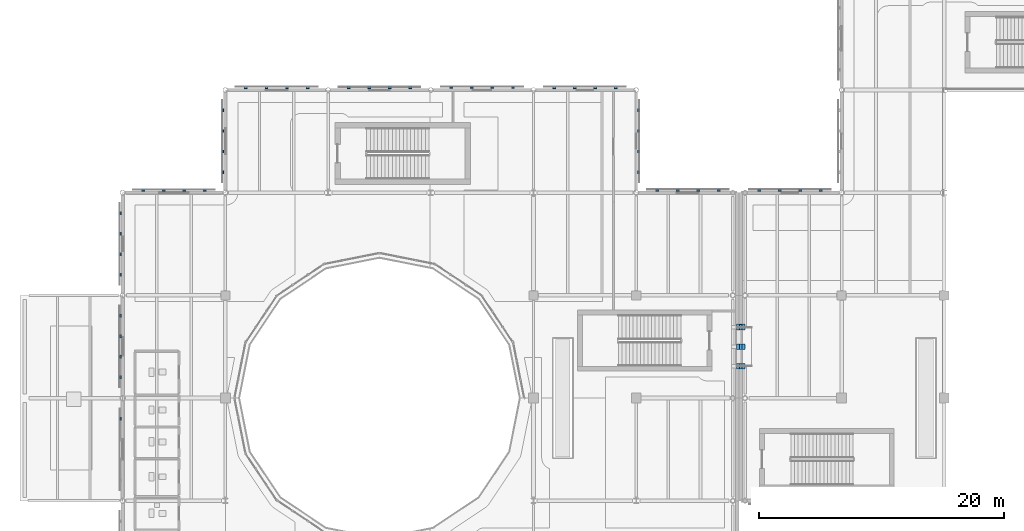
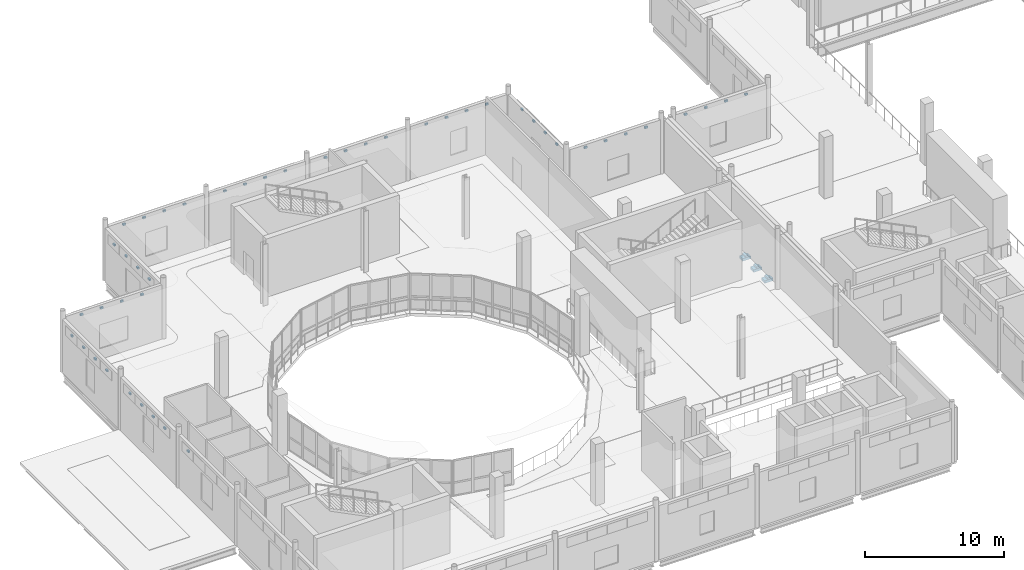
# One storey, part 78 of 110: 51 discrete accessories.
"""IFC4 building model written with IfcOpenShell, lengths in metres."""

from ifc_helpers import new_model, si_unit, direction, frame, origin, origin_2d, place, context, subcontext, project, spatial, rectangle, extrude, material, type_object, element, save


model = new_model("IFC4")

# Units and contexts
model_context = context("Model", 3, precision=1e-05, world=origin(), true_north=direction((0.0, 1.0)))
body_context = subcontext(model_context, "Body", "Model", "MODEL_VIEW")
ifc_project = project(units=[si_unit("LENGTHUNIT", "METRE"), si_unit("AREAUNIT", "SQUARE_METRE"), si_unit("VOLUMEUNIT", "CUBIC_METRE"), si_unit("PLANEANGLEUNIT", "RADIAN"), si_unit("MASSUNIT", "GRAM", prefix="KILO"), si_unit("THERMODYNAMICTEMPERATUREUNIT", "KELVIN")], contexts=[model_context])

# Site, building, storey
site_placement = place(None, origin())
site = spatial("IfcSite", under=ifc_project, at=site_placement, CompositionType="ELEMENT")
building_placement = place(site_placement, origin())
building = spatial("IfcBuilding", under=site, at=building_placement, Name="Lustrewick Department Store", CompositionType="ELEMENT")
storey_placement = place(building_placement, frame((0.0, 0.0, 6.0)))
storey = spatial("IfcBuildingStorey", under=building, at=storey_placement, Name="L02", CompositionType="ELEMENT", Elevation=6.0)

# Discrete accessories
ifc_material_1 = material(Name="Anodized filigree aluminium 6061-T6", Category="aluminium")
discrete_accessory_type_1 = type_object("IfcDiscreteAccessoryType", Name="BRK-FIL", PredefinedType="BRACKET", material=ifc_material_1)
for number, where, z_axis, x_axis, name in (
    (1, (57.14404296875, 84.199951171875, 4.20703125), (0.0, 0.0, 1.0), (-1.0, 0.0, 0.0), "L02 Filigree Stand-Off Bracket 0001"),
    (2, (55.464111328125, 84.199951171875, 4.20703125), (0.0, 0.0, 1.0), (-1.0, 0.0, 0.0), "L02 Filigree Stand-Off Bracket 0002"),
    (3, (53.783935546875, 84.199951171875, 4.20703125), (0.0, 0.0, 1.0), (-1.0, 0.0, 0.0), "L02 Filigree Stand-Off Bracket 0003"),
    (4, (52.10400390625, 84.199951171875, 4.20703125), (0.0, 0.0, 1.0), (-1.0, 0.0, 0.0), "L02 Filigree Stand-Off Bracket 0004"),
    (5, (50.580078125, 85.687255859375, 4.1171875), (0.0, 0.0, 1.0), (0.0, 1.0, 0.0), "L02 Filigree Stand-Off Bracket 0005"),
    (6, (50.580078125, 87.3671875, 4.1171875), (0.0, 0.0, 1.0), (0.0, 1.0, 0.0), "L02 Filigree Stand-Off Bracket 0006"),
    (7, (50.580078125, 89.047119140625, 4.1171875), (0.0, 0.0, 1.0), (0.0, 1.0, 0.0), "L02 Filigree Stand-Off Bracket 0007"),
    (8, (50.580078125, 90.727294921875, 4.1171875), (0.0, 0.0, 1.0), (0.0, 1.0, 0.0), "L02 Filigree Stand-Off Bracket 0008"),
    (9, (48.719970703125, 92.590087890625, 4.1171875), (0.0, 0.0, 1.0), (-1.0, 0.0, 0.0), "L02 Filigree Stand-Off Bracket 0009"),
    (10, (47.0400390625, 92.590087890625, 4.1171875), (0.0, 0.0, 1.0), (-1.0, 0.0, 0.0), "L02 Filigree Stand-Off Bracket 0010"),
    (11, (45.360107421875, 92.590087890625, 4.1171875), (0.0, 0.0, 1.0), (-1.0, 0.0, 0.0), "L02 Filigree Stand-Off Bracket 0011"),
    (12, (43.679931640625, 92.590087890625, 4.1171875), (0.0, 0.0, 1.0), (-1.0, 0.0, 0.0), "L02 Filigree Stand-Off Bracket 0012"),
    (13, (40.320068359375, 92.60009765625, 4.1171875), (0.0, 0.0, 1.0), (-1.0, 0.0, 0.0), "L02 Filigree Stand-Off Bracket 0013"),
    (14, (38.639892578125, 92.60009765625, 4.1171875), (0.0, 0.0, 1.0), (-1.0, 0.0, 0.0), "L02 Filigree Stand-Off Bracket 0014"),
    (15, (36.9599609375, 92.60009765625, 4.1171875), (0.0, 0.0, 1.0), (-1.0, 0.0, 0.0), "L02 Filigree Stand-Off Bracket 0015"),
    (16, (35.280029296875, 92.60009765625, 4.1171875), (0.0, 0.0, 1.0), (-1.0, 0.0, 0.0), "L02 Filigree Stand-Off Bracket 0016"),
    (17, (31.919921875, 92.580078125, 4.1171875), (0.0, 0.0, 1.0), (-1.0, 0.0, 0.0), "L02 Filigree Stand-Off Bracket 0017"),
    (18, (30.239990234375, 92.580078125, 4.1171875), (0.0, 0.0, 1.0), (-1.0, 0.0, 0.0), "L02 Filigree Stand-Off Bracket 0018"),
    (19, (28.56005859375, 92.580078125, 4.1171875), (0.0, 0.0, 1.0), (-1.0, 0.0, 0.0), "L02 Filigree Stand-Off Bracket 0019"),
    (20, (26.8798828125, 92.580078125, 4.1171875), (0.0, 0.0, 1.0), (-1.0, 0.0, 0.0), "L02 Filigree Stand-Off Bracket 0020"),
    (21, (23.52001953125, 92.590087890625, 4.1171875), (0.0, 0.0, 1.0), (-1.0, 0.0, 0.0), "L02 Filigree Stand-Off Bracket 0021"),
    (22, (21.840087890625, 92.590087890625, 4.1171875), (0.0, 0.0, 1.0), (-1.0, 0.0, 0.0), "L02 Filigree Stand-Off Bracket 0022"),
    (23, (20.159912109375, 92.590087890625, 4.1171875), (0.0, 0.0, 1.0), (-1.0, 0.0, 0.0), "L02 Filigree Stand-Off Bracket 0023"),
    (24, (18.47998046875, 92.590087890625, 4.1171875), (0.0, 0.0, 1.0), (-1.0, 0.0, 0.0), "L02 Filigree Stand-Off Bracket 0024"),
    (25, (16.60009765625, 90.727294921875, 4.1171875), (0.0, 0.0, 1.0), (0.0, -1.0, 0.0), "L02 Filigree Stand-Off Bracket 0025"),
    (26, (16.60009765625, 89.047119140625, 4.1171875), (0.0, 0.0, 1.0), (0.0, -1.0, 0.0), "L02 Filigree Stand-Off Bracket 0026"),
    (27, (16.60009765625, 87.3671875, 4.1171875), (0.0, 0.0, 1.0), (0.0, -1.0, 0.0), "L02 Filigree Stand-Off Bracket 0027"),
    (28, (16.60009765625, 85.687255859375, 4.1171875), (0.0, 0.0, 1.0), (0.0, -1.0, 0.0), "L02 Filigree Stand-Off Bracket 0028"),
    (29, (15.1201171875, 84.179931640625, 4.20703125), (0.0, 0.0, 1.0), (-1.0, 0.0, 0.0), "L02 Filigree Stand-Off Bracket 0029"),
    (30, (13.43994140625, 84.179931640625, 4.20703125), (0.0, 0.0, 1.0), (-1.0, 0.0, 0.0), "L02 Filigree Stand-Off Bracket 0030"),
    (31, (11.760009765625, 84.179931640625, 4.20703125), (0.0, 0.0, 1.0), (-1.0, 0.0, 0.0), "L02 Filigree Stand-Off Bracket 0031"),
    (32, (10.080078125, 84.179931640625, 4.20703125), (0.0, 0.0, 1.0), (-1.0, 0.0, 0.0), "L02 Filigree Stand-Off Bracket 0032"),
    (33, (8.2099609375, 82.312744140625, 4.1171875), (0.0, 0.0, 1.0), (0.0, -1.0, 0.0), "L02 Filigree Stand-Off Bracket 0033"),
    (34, (8.2099609375, 80.6328125, 4.1171875), (0.0, 0.0, 1.0), (0.0, -1.0, 0.0), "L02 Filigree Stand-Off Bracket 0034"),
    (35, (8.2099609375, 78.952880859375, 4.1171875), (0.0, 0.0, 1.0), (0.0, -1.0, 0.0), "L02 Filigree Stand-Off Bracket 0035"),
    (36, (8.2099609375, 77.272705078125, 4.1171875), (0.0, 0.0, 1.0), (0.0, -1.0, 0.0), "L02 Filigree Stand-Off Bracket 0036"),
    (37, (8.199951171875, 73.92724609375, 4.1171875), (0.0, 0.0, 1.0), (0.0, -1.0, 0.0), "L02 Filigree Stand-Off Bracket 0037"),
    (38, (8.199951171875, 72.247314453125, 4.1171875), (0.0, 0.0, 1.0), (0.0, -1.0, 0.0), "L02 Filigree Stand-Off Bracket 0038"),
    (39, (8.199951171875, 70.5673828125, 4.1171875), (0.0, 0.0, 1.0), (0.0, -1.0, 0.0), "L02 Filigree Stand-Off Bracket 0039"),
    (40, (8.199951171875, 68.88720703125, 4.1171875), (0.0, 0.0, 1.0), (0.0, -1.0, 0.0), "L02 Filigree Stand-Off Bracket 0040"),
    (41, (8.219970703125, 65.52001953125, 4.1171875), (0.0, 0.0, 1.0), (0.0, -1.0, 0.0), "L02 Filigree Stand-Off Bracket 0041"),
    (42, (65.49609375, 84.199951171875, 4.20703125), (0.0, 0.0, 1.0), (-1.0, 0.0, 0.0), "L02 Filigree Stand-Off Bracket 0146"),
    (43, (63.81591796875, 84.199951171875, 4.20703125), (0.0, 0.0, 1.0), (-1.0, 0.0, 0.0), "L02 Filigree Stand-Off Bracket 0147"),
    (44, (62.135986328125, 84.199951171875, 4.20703125), (0.0, 0.0, 1.0), (-1.0, 0.0, 0.0), "L02 Filigree Stand-Off Bracket 0148"),
    (45, (60.4560546875, 84.199951171875, 4.20703125), (0.0, 0.0, 1.0), (-1.0, 0.0, 0.0), "L02 Filigree Stand-Off Bracket 0149"),
):
    element("IfcDiscreteAccessory", number, at=place(storey_placement, frame(where, z_axis=z_axis, x_axis=x_axis)), inside=storey, type_object=discrete_accessory_type_1, Name=name, PredefinedType="BRACKET", context=body_context, shape_type="SweptSolid", body=[
        extrude(rectangle(XDim=0.239990234375, YDim=0.139892578125, at=origin_2d()), origin(), (0.0, 0.0, 1.0), 0.159912109375),
    ])
ifc_material_2 = material(Name="Structural steel Q355C", Category="steel")
discrete_accessory_type_2 = type_object("IfcDiscreteAccessoryType", Name="SB-CORBEL", PredefinedType="BRACKET", material=ifc_material_2)
for number, where, z_axis, x_axis, name in (
    (46, (58.949951171875, 69.800048828125, -1.11279296875), (0.0, 0.0, 1.0), (1.0, 0.0, 0.0), "L02 Skybridge SB12 700 mm Bearing Seat Corbel 1"),
    (47, (58.949951171875, 71.39990234375, -1.11279296875), (0.0, 0.0, 1.0), (1.0, 0.0, 0.0), "L02 Skybridge SB12 700 mm Bearing Seat Corbel 2"),
    (48, (58.949951171875, 73.0, -1.11279296875), (0.0, 0.0, 1.0), (1.0, 0.0, 0.0), "L02 Skybridge SB12 700 mm Bearing Seat Corbel 3"),
):
    element("IfcDiscreteAccessory", number, at=place(storey_placement, frame(where, z_axis=z_axis, x_axis=x_axis)), inside=storey, type_object=discrete_accessory_type_2, Name=name, PredefinedType="BRACKET", context=body_context, shape_type="SweptSolid", body=[
        extrude(rectangle(XDim=0.699951171875, YDim=0.47998046875, at=origin_2d()), origin(), (0.0, 0.0, 1.0), 0.219970703125),
    ])
discrete_accessory_type_3 = type_object("IfcDiscreteAccessoryType", Name="SB-PTFE", PredefinedType="BRACKET", material=ifc_material_2)
for number, where, z_axis, x_axis, name in (
    (49, (58.949951171875, 69.800048828125, -0.89306640625), (0.0, 0.0, 1.0), (1.0, 0.0, 0.0), "L02 Skybridge SB12 PTFE Sliding Bearing 1"),
    (50, (58.949951171875, 71.39990234375, -0.89306640625), (0.0, 0.0, 1.0), (1.0, 0.0, 0.0), "L02 Skybridge SB12 PTFE Sliding Bearing 2"),
    (51, (58.949951171875, 73.0, -0.89306640625), (0.0, 0.0, 1.0), (1.0, 0.0, 0.0), "L02 Skybridge SB12 PTFE Sliding Bearing 3"),
):
    element("IfcDiscreteAccessory", number, at=place(storey_placement, frame(where, z_axis=z_axis, x_axis=x_axis)), inside=storey, type_object=discrete_accessory_type_3, Name=name, PredefinedType="BRACKET", context=body_context, shape_type="SweptSolid", body=[
        extrude(rectangle(XDim=0.199951171875, YDim=0.449951171875, at=origin_2d()), origin(), (0.0, 0.0, 1.0), 0.159912109375),
    ])

save(model, "model.ifc")
